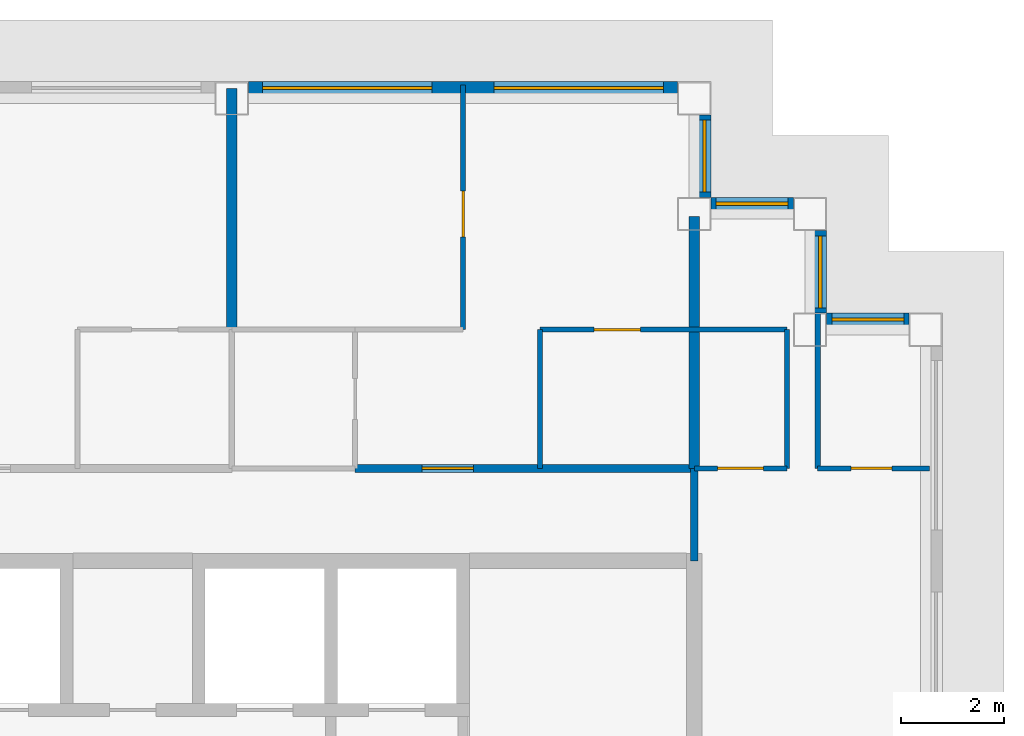
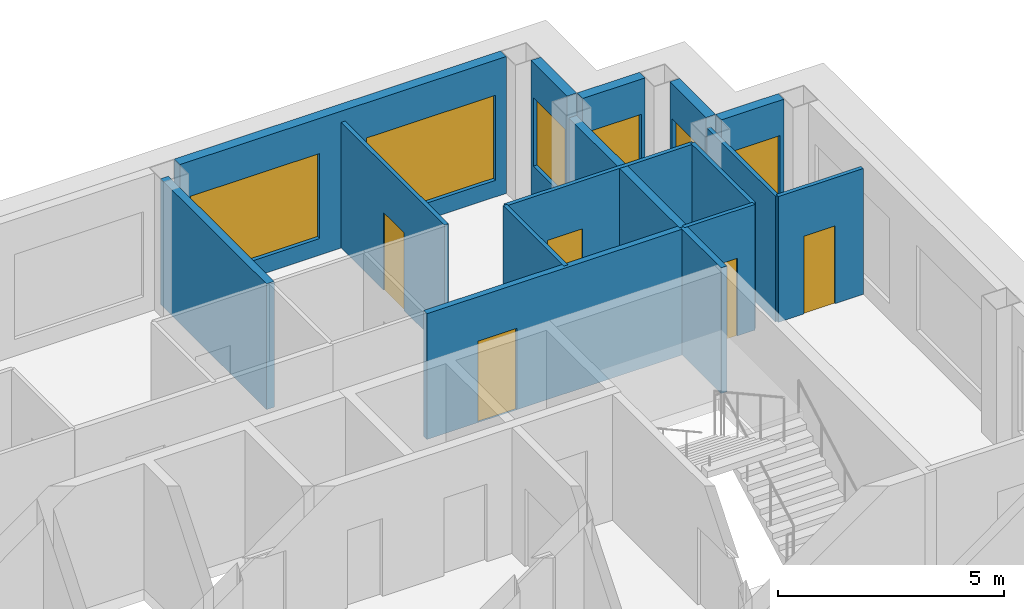
# One storey, part 7 of 11: 16 walls, 6 windows, 5 doors, 11 openings.
"""IFC4 building model written with IfcOpenShell, lengths in metres."""

from ifc_helpers import new_model, si_unit, direction, frame, frame_2d, origin, place, context, subcontext, project, spatial, rectangle, extrude, material, layer, layer_set, type_object, element, fill, save


model = new_model("IFC4")

# Units and contexts
model_context = context("Model", 3, precision=1e-05, world=origin(), true_north=direction((0.0, 1.0)))
body_context = subcontext(model_context, "Body", "Model", "MODEL_VIEW")
ifc_project = project(units=[si_unit("LENGTHUNIT", "METRE"), si_unit("AREAUNIT", "SQUARE_METRE"), si_unit("VOLUMEUNIT", "CUBIC_METRE"), si_unit("PLANEANGLEUNIT", "RADIAN"), si_unit("MASSUNIT", "GRAM", prefix="KILO")], contexts=[model_context])

# Site, building, storey
site_placement = place(None, origin())
site = spatial("IfcSite", under=ifc_project, at=site_placement, CompositionType="ELEMENT")
building_placement = place(site_placement, origin())
building = spatial("IfcBuilding", under=site, at=building_placement, Name="Caravel Reach Hotel and Residences", CompositionType="ELEMENT")
storey_placement = place(building_placement, frame((0.0, 0.0, 225.699951171875)))
storey = spatial("IfcBuildingStorey", under=building, at=storey_placement, Name="L57", CompositionType="ELEMENT", Elevation=225.699951171875)

# Wall, opening, door
ifc_material_1 = material(Name="Gypsum board on steel stud", Category="steel")
ifc_layer_1 = layer(ifc_material_1, 0.10009765625)
ifc_layer_set_1 = layer_set([ifc_layer_1], Name="Bathroom pod wall 100 mm")
wall_type_1 = type_object("IfcWallType", Name="Bathroom pod wall 100 mm", PredefinedType="PARTITIONING", material=ifc_layer_set_1)
wall_1_placement = place(storey_placement, frame((47.39990234375, 33.300048828125, 0.0), z_axis=(0.0, 0.0, 1.0), x_axis=(1.0, 0.0, 0.0)))
wall_1 = element("IfcWall", 1, at=wall_1_placement, inside=storey, type_object=wall_type_1, Name="L57 wall w069", PredefinedType="PARTITIONING", context=body_context, shape_type="SweptSolid", body=[
    extrude(rectangle(XDim=2.175048828125, YDim=0.10009765625, at=frame_2d((1.08740234375, 0.0))), origin(), (0.0, 0.0, 1.0), 3.400146484375),
])
opening_1_placement = place(wall_1_placement, frame((0.64990234375, 0.0, 0.0)))
opening_1 = element("IfcOpeningElement", 2, at=opening_1_placement, cuts=wall_1, Name="Opening D57-040", PredefinedType="OPENING", context=body_context, shape_type="SweptSolid", body=[
    extrude(rectangle(XDim=0.800048828125, YDim=2.10009765625, at=frame_2d((0.39990234375, 1.050048828125))), frame((0.0, 0.06005859375, 0.0), z_axis=(0.0, -1.0, 0.0), x_axis=(1.0, 0.0, 0.0)), (0.0, 0.0, 1.0), 0.1201171875),
])
ifc_material_2 = material(Name="Timber and steel door leaf", Category="steel")
door_type_1 = type_object("IfcDoorType", Name="Bathroom door 800 x 2100", OperationType="SINGLE_SWING_LEFT", PredefinedType="DOOR", material=ifc_material_2)
door_1_placement = place(opening_1_placement, origin())
door_1 = element("IfcDoor", 3, at=door_1_placement, inside=storey, type_object=door_type_1, Name="door D57-040", OperationType="SINGLE_SWING_RIGHT", OverallHeight=2.10009765625, OverallWidth=0.800048828125, PredefinedType="DOOR", context=body_context, shape_type="SweptSolid", body=[
    extrude(rectangle(XDim=0.800048828125, YDim=2.10009765625, at=frame_2d((0.39990234375, 1.050048828125))), frame((0.0, 0.02490234375, 0.0), z_axis=(0.0, -1.0, 0.0), x_axis=(1.0, 0.0, 0.0)), (0.0, 0.0, 1.0), 0.050048828125),
])
fill(opening_1, door_1)

# Wall
wall_2_placement = place(storey_placement, frame((47.39990234375, 33.300048828125, 0.0), z_axis=(0.0, 0.0, 1.0), x_axis=(0.0, 1.0, 0.0)))
element("IfcWall", 4, at=wall_2_placement, inside=storey, type_object=wall_type_1, Name="L57 wall w083", PredefinedType="PARTITIONING", context=body_context, shape_type="SweptSolid", body=[
    extrude(rectangle(XDim=3.02490234375, YDim=0.10009765625, at=frame_2d((1.512451171875, 0.0))), origin(), (0.0, 0.0, 1.0), 3.400146484375),
])

# Wall, opening, door
ifc_material_3 = material(Name="Gypsum board on steel stud, fire-rated", Category="steel")
ifc_layer_2 = layer(ifc_material_3, 0.14990234375)
ifc_layer_set_2 = layer_set([ifc_layer_2], Name="Corridor wall 150 mm EI 60")
wall_type_2 = type_object("IfcWallType", Name="Corridor wall 150 mm EI 60", PredefinedType="PARTITIONING", material=ifc_layer_set_2)
wall_3_placement = place(storey_placement, frame((38.39990234375, 33.300048828125, 0.0), z_axis=(0.0, 0.0, 1.0), x_axis=(1.0, 0.0, 0.0)))
wall_3 = element("IfcWall", 5, at=wall_3_placement, inside=storey, type_object=wall_type_2, Name="L57 wall w014", PredefinedType="PARTITIONING", context=body_context, shape_type="SweptSolid", body=[
    extrude(rectangle(XDim=6.60009765625, YDim=0.14990234375, at=frame_2d((3.300048828125, 0.0))), origin(), (0.0, 0.0, 1.0), 3.400146484375),
])
opening_2_placement = place(wall_3_placement, frame((1.300048828125, 0.0, 0.0)))
opening_2 = element("IfcOpeningElement", 6, at=opening_2_placement, cuts=wall_3, Name="Opening D57-023", PredefinedType="OPENING", context=body_context, shape_type="SweptSolid", body=[
    extrude(rectangle(XDim=1.0, YDim=2.199951171875, at=frame_2d((0.5, 1.10009765625))), frame((0.0, 0.0849609375, 0.0), z_axis=(0.0, -1.0, 0.0), x_axis=(1.0, 0.0, 0.0)), (0.0, 0.0, 1.0), 0.169921875),
])
ifc_material_4 = material(Name="Steel fire door leaf", Category="steel")
door_type_2 = type_object("IfcDoorType", Name="Flat entrance door 1000 x 2200 EI 60", OperationType="SINGLE_SWING_LEFT", PredefinedType="DOOR", material=ifc_material_4)
door_2_placement = place(opening_2_placement, origin())
door_2 = element("IfcDoor", 7, at=door_2_placement, inside=storey, type_object=door_type_2, Name="door D57-023", OperationType="SINGLE_SWING_RIGHT", OverallHeight=2.199951171875, OverallWidth=1.0, PredefinedType="DOOR", context=body_context, shape_type="SweptSolid", body=[
    extrude(rectangle(XDim=1.0, YDim=2.199951171875, at=frame_2d((0.5, 1.10009765625))), frame((0.0, 0.02490234375, 0.0), z_axis=(0.0, -1.0, 0.0), x_axis=(1.0, 0.0, 0.0)), (0.0, 0.0, 1.0), 0.050048828125),
])
fill(opening_2, door_2)

# Wall
wall_4_placement = place(storey_placement, frame((45.0, 31.5, 0.0), z_axis=(0.0, 0.0, 1.0), x_axis=(0.0, 1.0, 0.0)))
element("IfcWall", 8, at=wall_4_placement, inside=storey, type_object=wall_type_2, Name="L57 wall w026", PredefinedType="PARTITIONING", context=body_context, shape_type="SweptSolid", body=[
    extrude(rectangle(XDim=1.800048828125, YDim=0.14990234375, at=frame_2d((0.89990234375, 0.0))), origin(), (0.0, 0.0, 1.0), 3.400146484375),
])

# Wall, opening, window
ifc_material_5 = material(Name="Insulated rainscreen wall, aluminium cladding", Category="aluminium")
ifc_layer_3 = layer(ifc_material_5, 0.25)
ifc_layer_set_3 = layer_set([ifc_layer_3], Name="EW1 Tower rainscreen wall")
wall_type_3 = type_object("IfcWallType", Name="EW1 Tower rainscreen wall", PredefinedType="SOLIDWALL", material=ifc_layer_set_3)
wall_5_placement = place(storey_placement, frame((49.175048828125, 36.199951171875, 0.0), z_axis=(0.0, 0.0, 1.0), x_axis=(-1.0, 0.0, 0.0)))
wall_5 = element("IfcWall", 9, at=wall_5_placement, inside=storey, type_object=wall_type_3, Name="External wall L57 N7.1", PredefinedType="SOLIDWALL", context=body_context, shape_type="SweptSolid", body=[
    extrude(rectangle(XDim=1.60009765625, YDim=0.25, at=frame_2d((0.800048828125, 0.0))), origin(), (0.0, 0.0, 1.0), 3.699951171875),
])
opening_3_placement = place(wall_5_placement, frame((0.10009765625, 0.0, 0.89990234375)))
opening_3 = element("IfcOpeningElement", 10, at=opening_3_placement, cuts=wall_5, Name="Opening WN22", PredefinedType="OPENING", context=body_context, shape_type="SweptSolid", body=[
    extrude(rectangle(XDim=1.39990234375, YDim=1.85009765625, at=frame_2d((0.699951171875, 0.925048828125))), frame((0.0, 0.135009765625, 0.0), z_axis=(0.0, -1.0, 0.0), x_axis=(1.0, 0.0, 0.0)), (0.0, 0.0, 1.0), 0.27001953125),
])
ifc_material_6 = material(Name="Dark low-e glazing in black aluminium frame", Category="aluminium")
window_type_1 = type_object("IfcWindowType", Name="Residence bedroom window 1400 x 1850", PartitioningType="SINGLE_PANEL", PredefinedType="WINDOW", material=ifc_material_6)
window_1_placement = place(opening_3_placement, origin())
window_1 = element("IfcWindow", 11, at=window_1_placement, inside=storey, type_object=window_type_1, Name="Window L57 N7.1.1", OverallHeight=1.85009765625, OverallWidth=1.39990234375, PartitioningType="SINGLE_PANEL", PredefinedType="WINDOW", context=body_context, shape_type="SweptSolid", body=[
    extrude(rectangle(XDim=1.39990234375, YDim=1.85009765625, at=frame_2d((0.699951171875, 0.925048828125))), frame((0.0, 0.030029296875, 0.0), z_axis=(0.0, -1.0, 0.0), x_axis=(1.0, 0.0, 0.0)), (0.0, 0.0, 1.0), 0.06005859375),
])
fill(opening_3, window_1)

wall_6_placement = place(storey_placement, frame((47.449951171875, 36.324951171875, 0.0), z_axis=(0.0, 0.0, 1.0), x_axis=(0.0, 1.0, 0.0)))
wall_6 = element("IfcWall", 12, at=wall_6_placement, inside=storey, type_object=wall_type_3, Name="External wall L57 E8.1", PredefinedType="SOLIDWALL", context=body_context, shape_type="SweptSolid", body=[
    extrude(rectangle(XDim=1.60009765625, YDim=0.25, at=frame_2d((0.800048828125, 0.0))), origin(), (0.0, 0.0, 1.0), 3.699951171875),
])
opening_4_placement = place(wall_6_placement, frame((0.10009765625, 0.0, 0.89990234375)))
opening_4 = element("IfcOpeningElement", 13, at=opening_4_placement, cuts=wall_6, Name="Opening WN22", PredefinedType="OPENING", context=body_context, shape_type="SweptSolid", body=[
    extrude(rectangle(XDim=1.39990234375, YDim=1.85009765625, at=frame_2d((0.699951171875, 0.925048828125))), frame((0.0, 0.135009765625, 0.0), z_axis=(0.0, -1.0, 0.0), x_axis=(1.0, 0.0, 0.0)), (0.0, 0.0, 1.0), 0.27001953125),
])
window_2_placement = place(opening_4_placement, origin())
window_2 = element("IfcWindow", 14, at=window_2_placement, inside=storey, type_object=window_type_1, Name="Window L57 E8.1.1", OverallHeight=1.85009765625, OverallWidth=1.39990234375, PartitioningType="SINGLE_PANEL", PredefinedType="WINDOW", context=body_context, shape_type="SweptSolid", body=[
    extrude(rectangle(XDim=1.39990234375, YDim=1.85009765625, at=frame_2d((0.699951171875, 0.925048828125))), frame((0.0, 0.030029296875, 0.0), z_axis=(0.0, -1.0, 0.0), x_axis=(1.0, 0.0, 0.0)), (0.0, 0.0, 1.0), 0.06005859375),
])
fill(opening_4, window_2)

wall_7_placement = place(storey_placement, frame((46.925048828125, 38.449951171875, 0.0), z_axis=(0.0, 0.0, 1.0), x_axis=(-1.0, 0.0, 0.0)))
wall_7 = element("IfcWall", 15, at=wall_7_placement, inside=storey, type_object=wall_type_3, Name="External wall L57 N9.1", PredefinedType="SOLIDWALL", context=body_context, shape_type="SweptSolid", body=[
    extrude(rectangle(XDim=1.60009765625, YDim=0.25, at=frame_2d((0.800048828125, 0.0))), origin(), (0.0, 0.0, 1.0), 3.699951171875),
])
opening_5_placement = place(wall_7_placement, frame((0.10009765625, 0.0, 0.89990234375)))
opening_5 = element("IfcOpeningElement", 16, at=opening_5_placement, cuts=wall_7, Name="Opening WN22", PredefinedType="OPENING", context=body_context, shape_type="SweptSolid", body=[
    extrude(rectangle(XDim=1.39990234375, YDim=1.85009765625, at=frame_2d((0.699951171875, 0.925048828125))), frame((0.0, 0.135009765625, 0.0), z_axis=(0.0, -1.0, 0.0), x_axis=(1.0, 0.0, 0.0)), (0.0, 0.0, 1.0), 0.27001953125),
])
window_3_placement = place(opening_5_placement, origin())
window_3 = element("IfcWindow", 17, at=window_3_placement, inside=storey, type_object=window_type_1, Name="Window L57 N9.1.1", OverallHeight=1.85009765625, OverallWidth=1.39990234375, PartitioningType="SINGLE_PANEL", PredefinedType="WINDOW", context=body_context, shape_type="SweptSolid", body=[
    extrude(rectangle(XDim=1.39990234375, YDim=1.85009765625, at=frame_2d((0.699951171875, 0.925048828125))), frame((0.0, 0.030029296875, 0.0), z_axis=(0.0, -1.0, 0.0), x_axis=(1.0, 0.0, 0.0)), (0.0, 0.0, 1.0), 0.06005859375),
])
fill(opening_5, window_3)

wall_8_placement = place(storey_placement, frame((45.199951171875, 38.574951171875, 0.0), z_axis=(0.0, 0.0, 1.0), x_axis=(0.0, 1.0, 0.0)))
wall_8 = element("IfcWall", 18, at=wall_8_placement, inside=storey, type_object=wall_type_3, Name="External wall L57 E10.1", PredefinedType="SOLIDWALL", context=body_context, shape_type="SweptSolid", body=[
    extrude(rectangle(XDim=1.60009765625, YDim=0.25, at=frame_2d((0.800048828125, 0.0))), origin(), (0.0, 0.0, 1.0), 3.699951171875),
])
opening_6_placement = place(wall_8_placement, frame((0.10009765625, 0.0, 0.89990234375)))
opening_6 = element("IfcOpeningElement", 19, at=opening_6_placement, cuts=wall_8, Name="Opening WN22", PredefinedType="OPENING", context=body_context, shape_type="SweptSolid", body=[
    extrude(rectangle(XDim=1.39990234375, YDim=1.85009765625, at=frame_2d((0.699951171875, 0.925048828125))), frame((0.0, 0.135009765625, 0.0), z_axis=(0.0, -1.0, 0.0), x_axis=(1.0, 0.0, 0.0)), (0.0, 0.0, 1.0), 0.27001953125),
])
window_4_placement = place(opening_6_placement, origin())
window_4 = element("IfcWindow", 20, at=window_4_placement, inside=storey, type_object=window_type_1, Name="Window L57 E10.1.1", OverallHeight=1.85009765625, OverallWidth=1.39990234375, PartitioningType="SINGLE_PANEL", PredefinedType="WINDOW", context=body_context, shape_type="SweptSolid", body=[
    extrude(rectangle(XDim=1.39990234375, YDim=1.85009765625, at=frame_2d((0.699951171875, 0.925048828125))), frame((0.0, 0.030029296875, 0.0), z_axis=(0.0, -1.0, 0.0), x_axis=(1.0, 0.0, 0.0)), (0.0, 0.0, 1.0), 0.06005859375),
])
fill(opening_6, window_4)

# Wall, openings, windows
wall_9_placement = place(storey_placement, frame((44.675048828125, 40.699951171875, 0.0), z_axis=(0.0, 0.0, 1.0), x_axis=(-1.0, 0.0, 0.0)))
wall_9 = element("IfcWall", 21, at=wall_9_placement, inside=storey, type_object=wall_type_3, Name="External wall L57 N11.1", PredefinedType="SOLIDWALL", context=body_context, shape_type="SweptSolid", body=[
    extrude(rectangle(XDim=8.35009765625, YDim=0.25, at=frame_2d((4.175048828125, 0.0))), origin(), (0.0, 0.0, 1.0), 3.699951171875),
])
opening_7_placement = place(wall_9_placement, frame((0.27490234375, 0.0, 0.449951171875)))
opening_7 = element("IfcOpeningElement", 22, at=opening_7_placement, cuts=wall_9, Name="Opening WN15", PredefinedType="OPENING", context=body_context, shape_type="SweptSolid", body=[
    extrude(rectangle(XDim=3.300048828125, YDim=2.300048828125, at=frame_2d((1.64990234375, 1.14990234375))), frame((0.0, 0.135009765625, 0.0), z_axis=(0.0, -1.0, 0.0), x_axis=(1.0, 0.0, 0.0)), (0.0, 0.0, 1.0), 0.27001953125),
])
opening_8_placement = place(wall_9_placement, frame((4.77490234375, 0.0, 0.449951171875)))
opening_8 = element("IfcOpeningElement", 23, at=opening_8_placement, cuts=wall_9, Name="Opening WN15", PredefinedType="OPENING", context=body_context, shape_type="SweptSolid", body=[
    extrude(rectangle(XDim=3.300048828125, YDim=2.300048828125, at=frame_2d((1.64990234375, 1.14990234375))), frame((0.0, 0.135009765625, 0.0), z_axis=(0.0, -1.0, 0.0), x_axis=(1.0, 0.0, 0.0)), (0.0, 0.0, 1.0), 0.27001953125),
])
ifc_material_7 = material(Name="Dark low-e glazing in black aluminium frame", Category="aluminium")
window_type_2 = type_object("IfcWindowType", Name="Residence living window 3300 x 2300", PartitioningType="SINGLE_PANEL", PredefinedType="WINDOW", material=ifc_material_7)
window_5_placement = place(opening_7_placement, origin())
window_5 = element("IfcWindow", 24, at=window_5_placement, inside=storey, type_object=window_type_2, Name="Window L57 N11.1.1", OverallHeight=2.300048828125, OverallWidth=3.300048828125, PartitioningType="SINGLE_PANEL", PredefinedType="WINDOW", context=body_context, shape_type="SweptSolid", body=[
    extrude(rectangle(XDim=3.300048828125, YDim=2.300048828125, at=frame_2d((1.64990234375, 1.14990234375))), frame((0.0, 0.030029296875, 0.0), z_axis=(0.0, -1.0, 0.0), x_axis=(1.0, 0.0, 0.0)), (0.0, 0.0, 1.0), 0.06005859375),
])
fill(opening_7, window_5)
window_6_placement = place(opening_8_placement, origin())
window_6 = element("IfcWindow", 25, at=window_6_placement, inside=storey, type_object=window_type_2, Name="Window L57 N11.1.2", OverallHeight=2.300048828125, OverallWidth=3.300048828125, PartitioningType="SINGLE_PANEL", PredefinedType="WINDOW", context=body_context, shape_type="SweptSolid", body=[
    extrude(rectangle(XDim=3.300048828125, YDim=2.300048828125, at=frame_2d((1.64990234375, 1.14990234375))), frame((0.0, 0.030029296875, 0.0), z_axis=(0.0, -1.0, 0.0), x_axis=(1.0, 0.0, 0.0)), (0.0, 0.0, 1.0), 0.06005859375),
])
fill(opening_8, window_6)

# Wall, opening, door
ifc_material_8 = material(Name="Gypsum board on steel stud", Category="steel")
ifc_layer_4 = layer(ifc_material_8, 0.10009765625)
ifc_layer_set_4 = layer_set([ifc_layer_4], Name="Partition 100 mm")
wall_type_4 = type_object("IfcWallType", Name="Partition 100 mm", PredefinedType="PARTITIONING", material=ifc_layer_set_4)
wall_10_placement = place(storey_placement, frame((45.0, 33.300048828125, 0.0), z_axis=(0.0, 0.0, 1.0), x_axis=(1.0, 0.0, 0.0)))
wall_10 = element("IfcWall", 26, at=wall_10_placement, inside=storey, type_object=wall_type_4, Name="L57 wall w032", PredefinedType="PARTITIONING", context=body_context, shape_type="SweptSolid", body=[
    extrude(rectangle(XDim=1.800048828125, YDim=0.10009765625, at=frame_2d((0.89990234375, 0.0))), origin(), (0.0, 0.0, 1.0), 3.400146484375),
])
opening_9_placement = place(wall_10_placement, frame((0.449951171875, 0.0, 0.0)))
opening_9 = element("IfcOpeningElement", 27, at=opening_9_placement, cuts=wall_10, Name="Opening D57-041", PredefinedType="OPENING", context=body_context, shape_type="SweptSolid", body=[
    extrude(rectangle(XDim=0.89990234375, YDim=2.10009765625, at=frame_2d((0.449951171875, 1.050048828125))), frame((0.0, 0.06005859375, 0.0), z_axis=(0.0, -1.0, 0.0), x_axis=(1.0, 0.0, 0.0)), (0.0, 0.0, 1.0), 0.1201171875),
])
ifc_material_9 = material(Name="Timber and steel door leaf", Category="steel")
door_type_3 = type_object("IfcDoorType", Name="Door 900 x 2100 timber", OperationType="SINGLE_SWING_LEFT", PredefinedType="DOOR", material=ifc_material_9)
door_3_placement = place(opening_9_placement, origin())
door_3 = element("IfcDoor", 28, at=door_3_placement, inside=storey, type_object=door_type_3, Name="door D57-041", OperationType="SINGLE_SWING_LEFT", OverallHeight=2.10009765625, OverallWidth=0.89990234375, PredefinedType="DOOR", context=body_context, shape_type="SweptSolid", body=[
    extrude(rectangle(XDim=0.89990234375, YDim=2.10009765625, at=frame_2d((0.449951171875, 1.050048828125))), frame((0.0, 0.02490234375, 0.0), z_axis=(0.0, -1.0, 0.0), x_axis=(1.0, 0.0, 0.0)), (0.0, 0.0, 1.0), 0.050048828125),
])
fill(opening_9, door_3)

wall_11_placement = place(storey_placement, frame((42.0, 36.0, 0.0), z_axis=(0.0, 0.0, 1.0), x_axis=(1.0, 0.0, 0.0)))
wall_11 = element("IfcWall", 29, at=wall_11_placement, inside=storey, type_object=wall_type_4, Name="L57 wall w036", PredefinedType="PARTITIONING", context=body_context, shape_type="SweptSolid", body=[
    extrude(rectangle(XDim=4.800048828125, YDim=0.10009765625, at=frame_2d((2.39990234375, 0.0))), origin(), (0.0, 0.0, 1.0), 3.400146484375),
])
opening_10_placement = place(wall_11_placement, frame((1.050048828125, 0.0, 0.0)))
opening_10 = element("IfcOpeningElement", 30, at=opening_10_placement, cuts=wall_11, Name="Opening D57-025", PredefinedType="OPENING", context=body_context, shape_type="SweptSolid", body=[
    extrude(rectangle(XDim=0.89990234375, YDim=2.10009765625, at=frame_2d((0.449951171875, 1.050048828125))), frame((0.0, 0.06005859375, 0.0), z_axis=(0.0, -1.0, 0.0), x_axis=(1.0, 0.0, 0.0)), (0.0, 0.0, 1.0), 0.1201171875),
])
door_4_placement = place(opening_10_placement, origin())
door_4 = element("IfcDoor", 31, at=door_4_placement, inside=storey, type_object=door_type_3, Name="door D57-025", OperationType="SINGLE_SWING_RIGHT", OverallHeight=2.10009765625, OverallWidth=0.89990234375, PredefinedType="DOOR", context=body_context, shape_type="SweptSolid", body=[
    extrude(rectangle(XDim=0.89990234375, YDim=2.10009765625, at=frame_2d((0.449951171875, 1.050048828125))), frame((0.0, 0.02490234375, 0.0), z_axis=(0.0, -1.0, 0.0), x_axis=(1.0, 0.0, 0.0)), (0.0, 0.0, 1.0), 0.050048828125),
])
fill(opening_10, door_4)

wall_12_placement = place(storey_placement, frame((40.5, 36.0, 0.0), z_axis=(0.0, 0.0, 1.0), x_axis=(0.0, 1.0, 0.0)))
wall_12 = element("IfcWall", 32, at=wall_12_placement, inside=storey, type_object=wall_type_4, Name="L57 wall w053", PredefinedType="PARTITIONING", context=body_context, shape_type="SweptSolid", body=[
    extrude(rectangle(XDim=4.764892578125, YDim=0.10009765625, at=frame_2d((2.38232421875, 0.0))), origin(), (0.0, 0.0, 1.0), 3.400146484375),
])
opening_11_placement = place(wall_12_placement, frame((1.800048828125, 0.0, 0.0)))
opening_11 = element("IfcOpeningElement", 33, at=opening_11_placement, cuts=wall_12, Name="Opening D57-026", PredefinedType="OPENING", context=body_context, shape_type="SweptSolid", body=[
    extrude(rectangle(XDim=0.89990234375, YDim=2.10009765625, at=frame_2d((0.449951171875, 1.050048828125))), frame((0.0, 0.06005859375, 0.0), z_axis=(0.0, -1.0, 0.0), x_axis=(1.0, 0.0, 0.0)), (0.0, 0.0, 1.0), 0.1201171875),
])
door_5_placement = place(opening_11_placement, origin())
door_5 = element("IfcDoor", 34, at=door_5_placement, inside=storey, type_object=door_type_3, Name="door D57-026", OperationType="SINGLE_SWING_RIGHT", OverallHeight=2.10009765625, OverallWidth=0.89990234375, PredefinedType="DOOR", context=body_context, shape_type="SweptSolid", body=[
    extrude(rectangle(XDim=0.89990234375, YDim=2.10009765625, at=frame_2d((0.449951171875, 1.050048828125))), frame((0.0, 0.02490234375, 0.0), z_axis=(0.0, -1.0, 0.0), x_axis=(1.0, 0.0, 0.0)), (0.0, 0.0, 1.0), 0.050048828125),
])
fill(opening_11, door_5)

# Walls
for number, where, z_axis, x_axis, name in (
    (35, (42.0, 33.300048828125, 0.0), (0.0, 0.0, 1.0), (0.0, 1.0, 0.0), "L57 wall w054"),
    (36, (46.800048828125, 33.300048828125, 0.0), (0.0, 0.0, 1.0), (0.0, 1.0, 0.0), "L57 wall w057"),
):
    element("IfcWall", number, at=place(storey_placement, frame(where, z_axis=z_axis, x_axis=x_axis)), inside=storey, type_object=wall_type_4, Name=name, PredefinedType="PARTITIONING", context=body_context, shape_type="SweptSolid", body=[
        extrude(rectangle(XDim=2.699951171875, YDim=0.10009765625, at=frame_2d((1.35009765625, 0.0))), origin(), (0.0, 0.0, 1.0), 3.400146484375),
    ])
ifc_material_10 = material(Name="Autoclaved aerated block wall")
ifc_layer_5 = layer(ifc_material_10, 0.199951171875)
ifc_layer_set_5 = layer_set([ifc_layer_5], Name="Party wall 200 mm EI 60")
wall_type_5 = type_object("IfcWallType", Name="Party wall 200 mm EI 60", PredefinedType="PARTITIONING", material=ifc_layer_set_5)
wall_13_placement = place(storey_placement, frame((36.0, 36.0, 0.0), z_axis=(0.0, 0.0, 1.0), x_axis=(0.0, 1.0, 0.0)))
element("IfcWall", 37, at=wall_13_placement, inside=storey, type_object=wall_type_5, Name="L57 wall w059", PredefinedType="PARTITIONING", context=body_context, shape_type="SweptSolid", body=[
    extrude(rectangle(XDim=4.68994140625, YDim=0.199951171875, at=frame_2d((2.344970703125, 0.0))), origin(), (0.0, 0.0, 1.0), 3.400146484375),
])
wall_14_placement = place(storey_placement, frame((45.0, 33.300048828125, 0.0), z_axis=(0.0, 0.0, 1.0), x_axis=(0.0, 1.0, 0.0)))
element("IfcWall", 38, at=wall_14_placement, inside=storey, type_object=wall_type_5, Name="L57 wall w061", PredefinedType="PARTITIONING", context=body_context, shape_type="SweptSolid", body=[
    extrude(rectangle(XDim=4.89990234375, YDim=0.199951171875, at=frame_2d((2.449951171875, 0.0))), origin(), (0.0, 0.0, 1.0), 3.400146484375),
])

save(model, "model.ifc")
